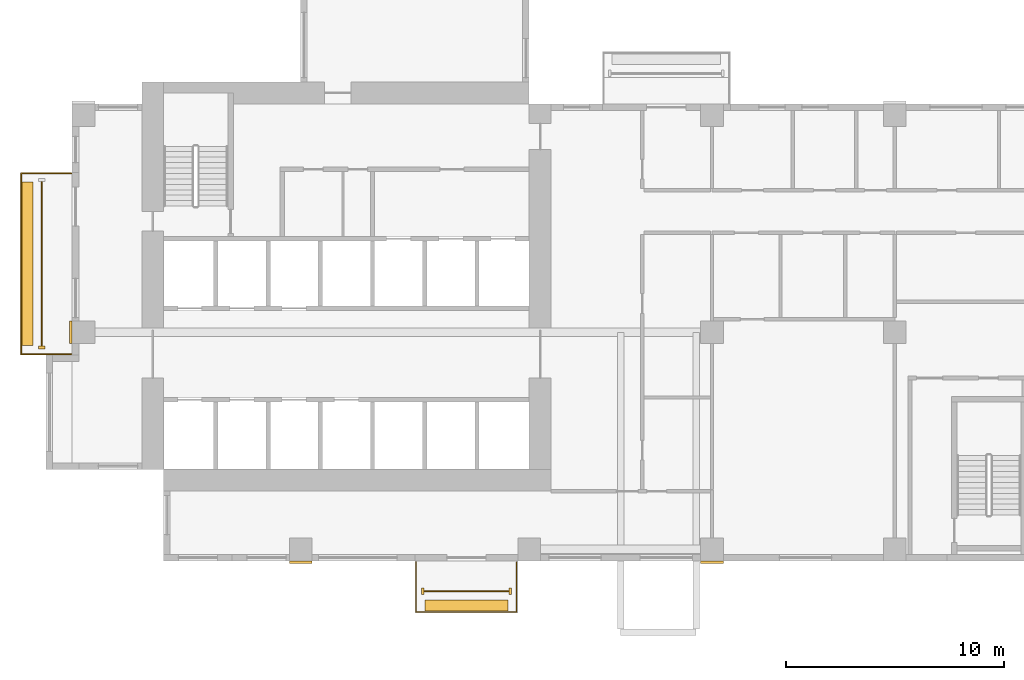
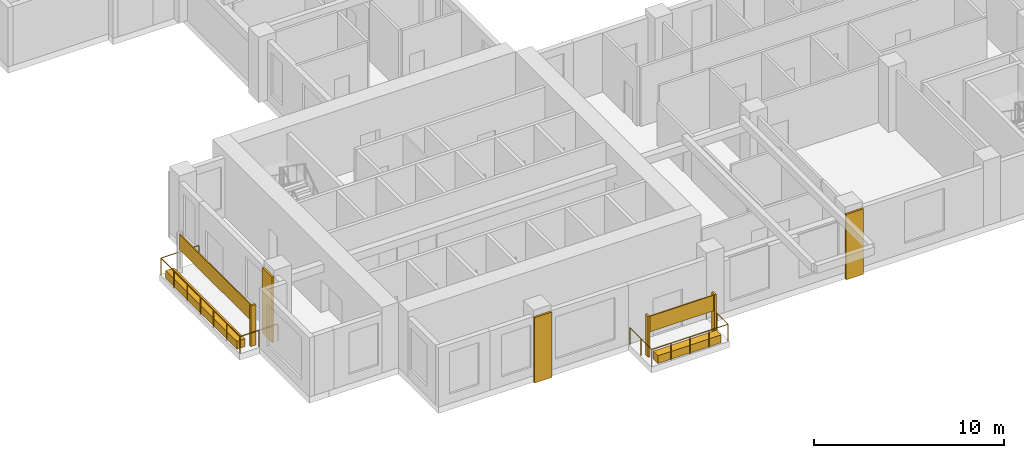
# One storey, part 10 of 14: 10 coverings, 2 railings.
"""IFC4 building model written with IfcOpenShell, lengths in metres."""

from ifc_helpers import new_model, si_unit, direction, frame, origin, origin_2d, place, context, subcontext, project, spatial, rectangle, circle, extrude, source, transform, mapped, material, type_object, element, save


model = new_model("IFC4")

# Units and contexts
model_context = context("Model", 3, precision=1e-05, world=origin(), true_north=direction((0.0, 1.0)))
body_context = subcontext(model_context, "Body", "Model", "MODEL_VIEW")
ifc_project = project(units=[si_unit("LENGTHUNIT", "METRE"), si_unit("AREAUNIT", "SQUARE_METRE"), si_unit("VOLUMEUNIT", "CUBIC_METRE"), si_unit("PLANEANGLEUNIT", "RADIAN"), si_unit("MASSUNIT", "GRAM", prefix="KILO")], contexts=[model_context])

# Site, building, storey
site_placement = place(None, origin())
site = spatial("IfcSite", under=ifc_project, at=site_placement, CompositionType="ELEMENT")
building_placement = place(site_placement, origin())
building = spatial("IfcBuilding", under=site, at=building_placement, Name="Aurelian Terraces", CompositionType="ELEMENT")
storey_placement = place(building_placement, frame((0.0, 0.0, 128.7)))
storey = spatial("IfcBuildingStorey", under=building, at=storey_placement, Name="L28", CompositionType="ELEMENT", Elevation=128.7)

# Railing
ifc_material_1 = material(Name="Anodised aluminium", Category="aluminium")
railing_type = type_object("IfcRailingType", Name="GUARD-1100", PredefinedType="GUARDRAIL", material=ifc_material_1)
railing_1_placement = place(storey_placement, frame((15.8, -0.05, 0.0)))
element("IfcRailing", 1, at=railing_1_placement, inside=storey, type_object=railing_type, Name="Balcony guard L28 F01.4", PredefinedType="GUARDRAIL", context=body_context, shape_type="SweptSolid", body=[
    extrude(circle(Radius=0.024, at=origin_2d()), frame((0.0, 0.0, 1.076), z_axis=(0.0, -1.0, 0.0), x_axis=(1.0, 0.0, 0.0)), (0.0, 0.0, 1.0), 2.3),
    extrude(circle(Radius=0.024, at=origin_2d()), frame((0.0, -2.3, 1.076), z_axis=(1.0, 0.0, 0.0), x_axis=(0.0, 1.0, 0.0)), (0.0, 0.0, 1.0), 4.625),
    extrude(circle(Radius=0.024, at=origin_2d()), frame((4.625, -2.3, 1.076), z_axis=(0.0, 1.0, 0.0), x_axis=(-1.0, 0.0, 0.0)), (0.0, 0.0, 1.0), 2.3),
    extrude(circle(Radius=0.021, at=origin_2d()), origin(), (0.0, 0.0, 1.0), 1.052),
    extrude(circle(Radius=0.021, at=origin_2d()), frame((0.0, -1.15, 0.0)), (0.0, 0.0, 1.0), 1.052),
    extrude(circle(Radius=0.021, at=origin_2d()), frame((0.0, -2.3, 0.0)), (0.0, 0.0, 1.0), 1.052),
    extrude(circle(Radius=0.021, at=origin_2d()), frame((1.1562, -2.3, 0.0)), (0.0, 0.0, 1.0), 1.052),
    extrude(circle(Radius=0.021, at=origin_2d()), frame((2.3125, -2.3, 0.0)), (0.0, 0.0, 1.0), 1.052),
    extrude(circle(Radius=0.021, at=origin_2d()), frame((3.4688, -2.3, 0.0)), (0.0, 0.0, 1.0), 1.052),
    extrude(circle(Radius=0.021, at=origin_2d()), frame((4.625, -2.3, 0.0)), (0.0, 0.0, 1.0), 1.052),
    extrude(circle(Radius=0.021, at=origin_2d()), frame((4.625, -1.15, 0.0)), (0.0, 0.0, 1.0), 1.052),
    extrude(circle(Radius=0.021, at=origin_2d()), frame((4.625, 0.0, 0.0)), (0.0, 0.0, 1.0), 1.052),
])

# Coverings
ifc_material_2 = material(Name="Terracotta planter with planting soil", Category="masonry")
covering_type_1 = type_object("IfcCoveringType", Name="PLANTER-TROUGH", PredefinedType="USERDEFINED", material=ifc_material_2)
covering_1_placement = place(storey_placement, frame((18.1125, -2.05, 0.0), z_axis=(0.0, 0.0, 1.0), x_axis=(1.0, 0.0, 0.0)))
element("IfcCovering", 2, at=covering_1_placement, inside=storey, type_object=covering_type_1, Name="PLANTER L28 L28-F01-04", ObjectType="PLANTER", PredefinedType="USERDEFINED", context=body_context, shape_type="SweptSolid", body=[
    extrude(rectangle(XDim=3.825, YDim=0.5, at=origin_2d()), origin(), (0.0, 0.0, 1.0), 0.5),
])
ifc_material_3 = material(Name="Terracotta rainscreen cladding", Category="masonry")
covering_type_2 = type_object("IfcCoveringType", Name="SCREEN-TC", PredefinedType="CLADDING", material=ifc_material_3)
covering_2_placement = place(storey_placement, frame((18.1125, -1.4, 1.5), z_axis=(0.0, 0.0, 1.0), x_axis=(1.0, 0.0, 0.0)))
element("IfcCovering", 3, at=covering_2_placement, inside=storey, type_object=covering_type_2, Name="SCREEN L28 L28-F01-04", PredefinedType="CLADDING", context=body_context, shape_type="SweptSolid", body=[
    extrude(rectangle(XDim=3.905, YDim=0.06, at=origin_2d()), origin(), (0.0, 0.0, 1.0), 1.0),
])
ifc_material_4 = material(Name="Terracotta rainscreen cladding relief", Category="masonry")
covering_type_3 = type_object("IfcCoveringType", Name="FIN-TC", PredefinedType="CLADDING", material=ifc_material_4)
shared_shape_1 = source(origin(), body_context, "Body", "SweptSolid", [
    extrude(rectangle(XDim=0.3, YDim=0.12, at=origin_2d()), origin(), (0.0, 0.0, 1.0), 2.6),
])
covering_3_placement = place(storey_placement, frame((-1.4, 9.8, 0.0), z_axis=(0.0, 0.0, 1.0), x_axis=(1.0, 0.0, 0.0)))
element("IfcCovering", 4, at=covering_3_placement, inside=storey, type_object=covering_type_3, Name="FIN L28 L28-F22-44.2", PredefinedType="CLADDING", context=body_context, shape_type="MappedRepresentation", body=[
    mapped(shared_shape_1, transform((0.0, 0.0, 0.0), scale=1.0)),
])
shared_shape_2 = source(origin(), body_context, "Body", "SweptSolid", [
    extrude(rectangle(XDim=0.12, YDim=0.3, at=origin_2d()), origin(), (0.0, 0.0, 1.0), 2.6),
])
for number, where, z_axis, x_axis, name in (
    (5, (16.1, -1.4, 0.0), (0.0, 0.0, 1.0), (1.0, 0.0, 0.0), "FIN L28 L28-F01-04.1"),
    (6, (20.125, -1.4, 0.0), (0.0, 0.0, 1.0), (1.0, 0.0, 0.0), "FIN L28 L28-F01-04.2"),
):
    element("IfcCovering", number, at=place(storey_placement, frame(where, z_axis=z_axis, x_axis=x_axis)), inside=storey, type_object=covering_type_3, Name=name, PredefinedType="CLADDING", context=body_context, shape_type="MappedRepresentation", body=[
        mapped(shared_shape_2, transform((0.0, 0.0, 0.0), scale=1.0)),
    ])
covering_type_4 = type_object("IfcCoveringType", Name="BAGUETTE-TC", PredefinedType="CLADDING", material=ifc_material_4)
shared_shape_3 = source(origin(), body_context, "Body", "SweptSolid", [
    extrude(rectangle(XDim=1.05, YDim=0.12, at=origin_2d()), origin(), (0.0, 0.0, 1.0), 4.2),
])
for number, where, z_axis, x_axis, name in (
    (7, (10.5, -0.06, -0.4), (0.0, 0.0, 1.0), (1.0, 0.0, 0.0), "BAGUETTE pier L28 1"),
    (8, (29.4, -0.06, -0.4), (0.0, 0.0, 1.0), (1.0, 0.0, 0.0), "BAGUETTE pier L28 2"),
):
    element("IfcCovering", number, at=place(storey_placement, frame(where, z_axis=z_axis, x_axis=x_axis)), inside=storey, type_object=covering_type_4, Name=name, PredefinedType="CLADDING", context=body_context, shape_type="MappedRepresentation", body=[
        mapped(shared_shape_3, transform((0.0, 0.0, 0.0), scale=1.0)),
    ])

# Railing
shared_shape_4 = source(origin(), body_context, "Body", "SweptSolid", [
    extrude(circle(Radius=0.024, at=origin_2d()), frame((0.0, 0.0, 1.076), z_axis=(-1.0, 0.0, 0.0), x_axis=(0.0, -1.0, 0.0)), (0.0, 0.0, 1.0), 2.3),
    extrude(circle(Radius=0.024, at=origin_2d()), frame((-2.3, 0.0, 1.076), z_axis=(0.0, -1.0, 0.0), x_axis=(1.0, 0.0, 0.0)), (0.0, 0.0, 1.0), 8.3),
    extrude(circle(Radius=0.024, at=origin_2d()), frame((-2.3, -8.3, 1.076), z_axis=(1.0, 0.0, 0.0), x_axis=(0.0, 1.0, 0.0)), (0.0, 0.0, 1.0), 2.3),
    extrude(circle(Radius=0.021, at=origin_2d()), origin(), (0.0, 0.0, 1.0), 1.052),
    extrude(circle(Radius=0.021, at=origin_2d()), frame((-1.15, 0.0, 0.0)), (0.0, 0.0, 1.0), 1.052),
    extrude(circle(Radius=0.021, at=origin_2d()), frame((-2.3, 0.0, 0.0)), (0.0, 0.0, 1.0), 1.052),
    extrude(circle(Radius=0.021, at=origin_2d()), frame((-2.3, -1.3833, 0.0)), (0.0, 0.0, 1.0), 1.052),
    extrude(circle(Radius=0.021, at=origin_2d()), frame((-2.3, -2.7667, 0.0)), (0.0, 0.0, 1.0), 1.052),
    extrude(circle(Radius=0.021, at=origin_2d()), frame((-2.3, -4.15, 0.0)), (0.0, 0.0, 1.0), 1.052),
    extrude(circle(Radius=0.021, at=origin_2d()), frame((-2.3, -5.5333, 0.0)), (0.0, 0.0, 1.0), 1.052),
    extrude(circle(Radius=0.021, at=origin_2d()), frame((-2.3, -6.9167, 0.0)), (0.0, 0.0, 1.0), 1.052),
    extrude(circle(Radius=0.021, at=origin_2d()), frame((-2.3, -8.3, 0.0)), (0.0, 0.0, 1.0), 1.052),
    extrude(circle(Radius=0.021, at=origin_2d()), frame((-1.15, -8.3, 0.0)), (0.0, 0.0, 1.0), 1.052),
    extrude(circle(Radius=0.021, at=origin_2d()), frame((0.0, -8.3, 0.0)), (0.0, 0.0, 1.0), 1.052),
])
railing_2_placement = place(storey_placement, frame((-0.05, 17.8, 0.0)))
element("IfcRailing", 9, at=railing_2_placement, inside=storey, type_object=railing_type, Name="Balcony guard L28 F22.44", PredefinedType="GUARDRAIL", context=body_context, shape_type="MappedRepresentation", body=[
    mapped(shared_shape_4, transform((0.0, 0.0, 0.0), scale=1.0)),
])

# Coverings
shared_shape_5 = source(origin(), body_context, "Body", "SweptSolid", [
    extrude(rectangle(XDim=0.5, YDim=7.5, at=origin_2d()), origin(), (0.0, 0.0, 1.0), 0.5),
])
covering_4_placement = place(storey_placement, frame((-2.05, 13.65, 0.0), z_axis=(0.0, 0.0, 1.0), x_axis=(1.0, 0.0, 0.0)))
element("IfcCovering", 10, at=covering_4_placement, inside=storey, type_object=covering_type_1, Name="PLANTER L28 L28-F22-44", ObjectType="PLANTER", PredefinedType="USERDEFINED", context=body_context, shape_type="MappedRepresentation", body=[
    mapped(shared_shape_5, transform((0.0, 0.0, 0.0), scale=1.0)),
])
shared_shape_6 = source(origin(), body_context, "Body", "SweptSolid", [
    extrude(rectangle(XDim=0.06, YDim=7.58, at=origin_2d()), origin(), (0.0, 0.0, 1.0), 1.0),
])
covering_5_placement = place(storey_placement, frame((-1.4, 13.65, 1.5), z_axis=(0.0, 0.0, 1.0), x_axis=(1.0, 0.0, 0.0)))
element("IfcCovering", 11, at=covering_5_placement, inside=storey, type_object=covering_type_2, Name="SCREEN L28 L28-F22-44", PredefinedType="CLADDING", context=body_context, shape_type="MappedRepresentation", body=[
    mapped(shared_shape_6, transform((0.0, 0.0, 0.0), scale=1.0)),
])
shared_shape_7 = source(origin(), body_context, "Body", "SweptSolid", [
    extrude(rectangle(XDim=0.12, YDim=1.05, at=origin_2d()), origin(), (0.0, 0.0, 1.0), 4.2),
])
covering_6_placement = place(storey_placement, frame((-0.06, 10.5, -0.4), z_axis=(0.0, 0.0, 1.0), x_axis=(1.0, 0.0, 0.0)))
element("IfcCovering", 12, at=covering_6_placement, inside=storey, type_object=covering_type_4, Name="BAGUETTE pier L28 5", PredefinedType="CLADDING", context=body_context, shape_type="MappedRepresentation", body=[
    mapped(shared_shape_7, transform((0.0, 0.0, 0.0), scale=1.0)),
])

save(model, "model.ifc")
